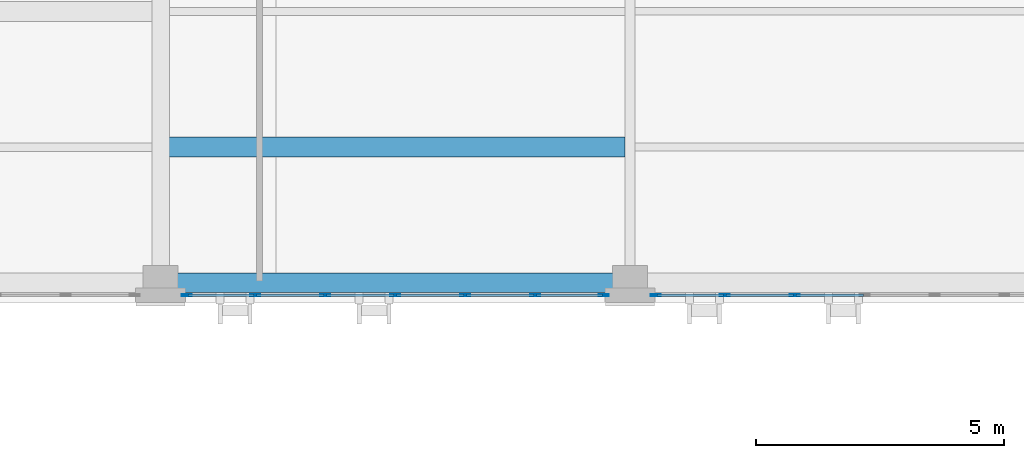
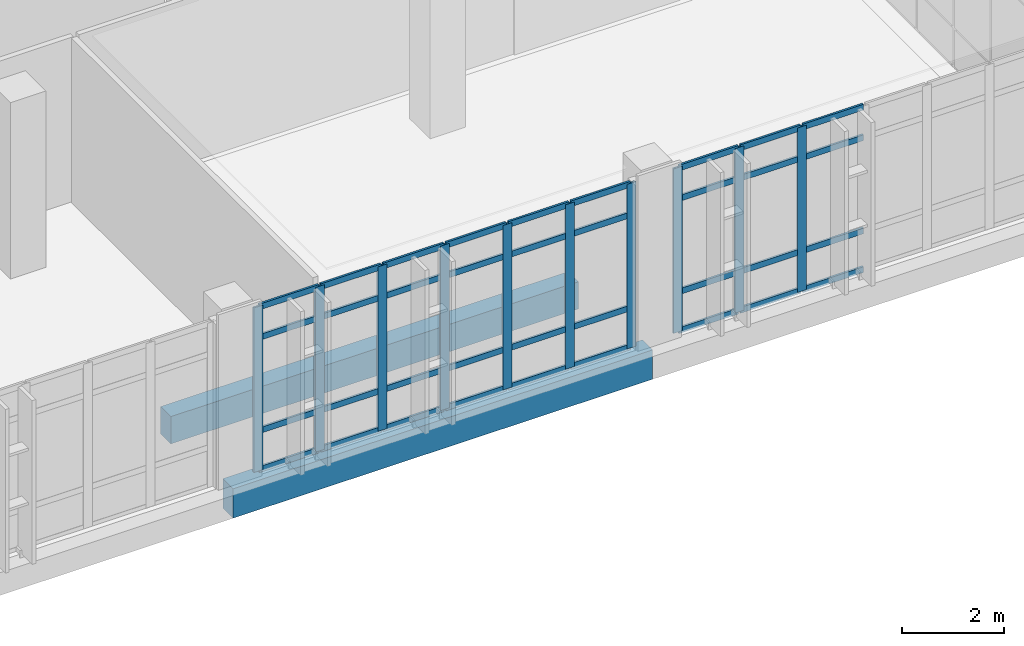
# One storey, part 38 of 165: 46 members, 2 beams, 2 elements without a shape of their own.
"""IFC4 building model written with IfcOpenShell, lengths in metres."""

from ifc_helpers import new_model, si_unit, direction, frame, origin, origin_2d, place, context, subcontext, project, spatial, rectangle, hollow_rectangle, extrude, material, layer, layer_set, material_profile, profile_set, type_object, element, aggregate, save


model = new_model("IFC4")

# Units and contexts
model_context = context("Model", 3, precision=1e-05, world=origin(), true_north=direction((0.0, 1.0)))
body_context = subcontext(model_context, "Body", "Model", "MODEL_VIEW")
ifc_project = project(units=[si_unit("LENGTHUNIT", "METRE"), si_unit("AREAUNIT", "SQUARE_METRE"), si_unit("VOLUMEUNIT", "CUBIC_METRE"), si_unit("PLANEANGLEUNIT", "RADIAN"), si_unit("MASSUNIT", "GRAM", prefix="KILO")], contexts=[model_context])

# Site, building, storey
site_placement = place(None, origin())
site = spatial("IfcSite", under=ifc_project, at=site_placement, CompositionType="ELEMENT")
building_placement = place(site_placement, origin())
building = spatial("IfcBuilding", under=site, at=building_placement, Name="Qalavern Law Courts", CompositionType="ELEMENT")
storey_placement = place(building_placement, frame((0.0, 0.0, 14.39990234375)))
storey = spatial("IfcBuildingStorey", under=building, at=storey_placement, Name="L03", CompositionType="ELEMENT", Elevation=14.39990234375)

# Curtain wall, members
ifc_material_1 = material(Name="Anodised aluminium and insulated glazing", Category="aluminium")
ifc_layer = layer(ifc_material_1, 0.18505859375)
ifc_layer_set = layer_set([ifc_layer], Name="Anodised aluminium and insulated glazing")
curtain_wall_type = type_object("IfcCurtainWallType", Name="ENV-CW-HALL", PredefinedType="USERDEFINED", material=ifc_layer_set)
curtain_wall_1_placement = place(storey_placement, origin())
curtain_wall_1 = element("IfcCurtainWall", 1, at=curtain_wall_1_placement, inside=storey, type_object=curtain_wall_type, Name="V2 unitised curtain wall L03 south 5", ObjectType="UNITISED CURTAIN WALL", PredefinedType="USERDEFINED")
ifc_material_2 = material(Name="Anodised aluminium", Category="aluminium")
ifc_material_profile_1 = material_profile(ifc_material_2, hollow_rectangle(XDim=0.048095703125, YDim=0.199951171875, WallThickness=0.00439453125, at=origin_2d()), Name="ALU MULLION 48x200")
ifc_profile_set_1 = profile_set([ifc_material_profile_1], Name="Anodised aluminium")
member_type_1 = type_object("IfcMemberType", Name="ENV-CWM-48x200", PredefinedType="MULLION", material=ifc_profile_set_1)
member_1_placement = place(storey_placement, frame((82.415283203125, 5.347412109375, 0.0), z_axis=(0.0, 0.0, 1.0), x_axis=(0.0, 1.0, 0.0)))
member_1 = element("IfcMember", 2, at=member_1_placement, type_object=member_type_1, Name="CW-02 mullion 1", PredefinedType="MULLION", context=body_context, shape_type="SweptSolid", body=[
    extrude(hollow_rectangle(XDim=0.048095703125, YDim=0.199951171875, WallThickness=0.00439453125, at=origin_2d()), origin(), (0.0, 0.0, 1.0), 3.920166015625),
])
member_2_placement = place(storey_placement, frame((83.800537109375, 5.347412109375, 0.0), z_axis=(0.0, 0.0, 1.0), x_axis=(0.0, 1.0, 0.0)))
member_2 = element("IfcMember", 3, at=member_2_placement, type_object=member_type_1, Name="CW-02 mullion 2", PredefinedType="MULLION", context=body_context, shape_type="SweptSolid", body=[
    extrude(hollow_rectangle(XDim=0.048095703125, YDim=0.199951171875, WallThickness=0.00439453125, at=origin_2d()), origin(), (0.0, 0.0, 1.0), 3.920166015625),
])
member_3_placement = place(storey_placement, frame((85.20947265625, 5.347412109375, 0.0), z_axis=(0.0, 0.0, 1.0), x_axis=(0.0, 1.0, 0.0)))
member_3 = element("IfcMember", 4, at=member_3_placement, type_object=member_type_1, Name="CW-02 mullion 3", PredefinedType="MULLION", context=body_context, shape_type="SweptSolid", body=[
    extrude(hollow_rectangle(XDim=0.048095703125, YDim=0.199951171875, WallThickness=0.00439453125, at=origin_2d()), origin(), (0.0, 0.0, 1.0), 3.920166015625),
])
member_4_placement = place(storey_placement, frame((86.61865234375, 5.347412109375, 0.0), z_axis=(0.0, 0.0, 1.0), x_axis=(0.0, 1.0, 0.0)))
member_4 = element("IfcMember", 5, at=member_4_placement, type_object=member_type_1, Name="CW-02 mullion 4", PredefinedType="MULLION", context=body_context, shape_type="SweptSolid", body=[
    extrude(hollow_rectangle(XDim=0.048095703125, YDim=0.199951171875, WallThickness=0.00439453125, at=origin_2d()), origin(), (0.0, 0.0, 1.0), 3.920166015625),
])
member_5_placement = place(storey_placement, frame((88.027587890625, 5.347412109375, 0.0), z_axis=(0.0, 0.0, 1.0), x_axis=(0.0, 1.0, 0.0)))
member_5 = element("IfcMember", 6, at=member_5_placement, type_object=member_type_1, Name="CW-02 mullion 5", PredefinedType="MULLION", context=body_context, shape_type="SweptSolid", body=[
    extrude(hollow_rectangle(XDim=0.048095703125, YDim=0.199951171875, WallThickness=0.00439453125, at=origin_2d()), origin(), (0.0, 0.0, 1.0), 3.920166015625),
])
member_6_placement = place(storey_placement, frame((89.436767578125, 5.347412109375, 0.0), z_axis=(0.0, 0.0, 1.0), x_axis=(0.0, 1.0, 0.0)))
member_6 = element("IfcMember", 7, at=member_6_placement, type_object=member_type_1, Name="CW-02 mullion 6", PredefinedType="MULLION", context=body_context, shape_type="SweptSolid", body=[
    extrude(hollow_rectangle(XDim=0.048095703125, YDim=0.199951171875, WallThickness=0.00439453125, at=origin_2d()), origin(), (0.0, 0.0, 1.0), 3.920166015625),
])
member_7_placement = place(storey_placement, frame((90.82177734375, 5.347412109375, 0.0), z_axis=(0.0, 0.0, 1.0), x_axis=(0.0, 1.0, 0.0)))
member_7 = element("IfcMember", 8, at=member_7_placement, type_object=member_type_1, Name="CW-02 mullion 7", PredefinedType="MULLION", context=body_context, shape_type="SweptSolid", body=[
    extrude(hollow_rectangle(XDim=0.048095703125, YDim=0.199951171875, WallThickness=0.00439453125, at=origin_2d()), origin(), (0.0, 0.0, 1.0), 3.920166015625),
])

curtain_wall_2_placement = place(storey_placement, origin())
curtain_wall_2 = element("IfcCurtainWall", 9, at=curtain_wall_2_placement, inside=storey, type_object=curtain_wall_type, Name="V2 unitised curtain wall L03 south 6", ObjectType="UNITISED CURTAIN WALL", PredefinedType="USERDEFINED")
member_8_placement = place(storey_placement, frame((91.86962890625, 5.347412109375, 0.0), z_axis=(0.0, 0.0, 1.0), x_axis=(0.0, 1.0, 0.0)))
member_8 = element("IfcMember", 10, at=member_8_placement, type_object=member_type_1, Name="CW-02 mullion 1", PredefinedType="MULLION", context=body_context, shape_type="SweptSolid", body=[
    extrude(hollow_rectangle(XDim=0.048095703125, YDim=0.199951171875, WallThickness=0.00439453125, at=origin_2d()), origin(), (0.0, 0.0, 1.0), 3.920166015625),
])
member_9_placement = place(storey_placement, frame((93.254638671875, 5.347412109375, 0.0), z_axis=(0.0, 0.0, 1.0), x_axis=(0.0, 1.0, 0.0)))
member_9 = element("IfcMember", 11, at=member_9_placement, type_object=member_type_1, Name="CW-02 mullion 2", PredefinedType="MULLION", context=body_context, shape_type="SweptSolid", body=[
    extrude(hollow_rectangle(XDim=0.048095703125, YDim=0.199951171875, WallThickness=0.00439453125, at=origin_2d()), origin(), (0.0, 0.0, 1.0), 3.920166015625),
])
member_10_placement = place(storey_placement, frame((94.663818359375, 5.347412109375, 0.0), z_axis=(0.0, 0.0, 1.0), x_axis=(0.0, 1.0, 0.0)))
member_10 = element("IfcMember", 12, at=member_10_placement, type_object=member_type_1, Name="CW-02 mullion 3", PredefinedType="MULLION", context=body_context, shape_type="SweptSolid", body=[
    extrude(hollow_rectangle(XDim=0.048095703125, YDim=0.199951171875, WallThickness=0.00439453125, at=origin_2d()), origin(), (0.0, 0.0, 1.0), 3.920166015625),
])

# Member
ifc_material_profile_2 = material_profile(ifc_material_2, hollow_rectangle(XDim=0.048095703125, YDim=0.139892578125, WallThickness=0.00390625, at=origin_2d()), Name="ALU TRANSOM 48x140")
ifc_profile_set_2 = profile_set([ifc_material_profile_2], Name="Anodised aluminium")
member_type_2 = type_object("IfcMemberType", Name="ENV-CWT-48x140", PredefinedType="USERDEFINED", material=ifc_profile_set_2)
member_11_placement = place(storey_placement, frame((82.439453125, 5.347412109375, 0.024169921875), z_axis=(1.0, 0.0, 0.0), x_axis=(0.0, 1.0, 0.0)))
member_11 = element("IfcMember", 13, at=member_11_placement, type_object=member_type_2, Name="CW-02 transom 1.1", ObjectType="TRANSOM", PredefinedType="USERDEFINED", context=body_context, shape_type="SweptSolid", body=[
    extrude(hollow_rectangle(XDim=0.048095703125, YDim=0.139892578125, WallThickness=0.00390625, at=origin_2d()), origin(), (0.0, 0.0, 1.0), 1.3369140625),
])

member_12_placement = place(storey_placement, frame((82.439453125, 5.347412109375, 0.9501953125), z_axis=(1.0, 0.0, 0.0), x_axis=(0.0, 1.0, 0.0)))
member_12 = element("IfcMember", 14, at=member_12_placement, type_object=member_type_2, Name="CW-02 transom 1.2", ObjectType="TRANSOM", PredefinedType="USERDEFINED", context=body_context, shape_type="SweptSolid", body=[
    extrude(hollow_rectangle(XDim=0.048095703125, YDim=0.139892578125, WallThickness=0.00390625, at=origin_2d()), origin(), (0.0, 0.0, 1.0), 1.3369140625),
])

member_13_placement = place(storey_placement, frame((82.439453125, 5.347412109375, 3.170166015625), z_axis=(1.0, 0.0, 0.0), x_axis=(0.0, 1.0, 0.0)))
member_13 = element("IfcMember", 15, at=member_13_placement, type_object=member_type_2, Name="CW-02 transom 1.3", ObjectType="TRANSOM", PredefinedType="USERDEFINED", context=body_context, shape_type="SweptSolid", body=[
    extrude(hollow_rectangle(XDim=0.048095703125, YDim=0.139892578125, WallThickness=0.00390625, at=origin_2d()), origin(), (0.0, 0.0, 1.0), 1.3369140625),
])

member_14_placement = place(storey_placement, frame((82.439453125, 5.347412109375, 3.89599609375), z_axis=(1.0, 0.0, 0.0), x_axis=(0.0, 1.0, 0.0)))
member_14 = element("IfcMember", 16, at=member_14_placement, type_object=member_type_2, Name="CW-02 transom 1.4", ObjectType="TRANSOM", PredefinedType="USERDEFINED", context=body_context, shape_type="SweptSolid", body=[
    extrude(hollow_rectangle(XDim=0.048095703125, YDim=0.139892578125, WallThickness=0.00390625, at=origin_2d()), origin(), (0.0, 0.0, 1.0), 1.3369140625),
])

member_15_placement = place(storey_placement, frame((83.824462890625, 5.347412109375, 0.024169921875), z_axis=(1.0, 0.0, 0.0), x_axis=(0.0, 1.0, 0.0)))
member_15 = element("IfcMember", 17, at=member_15_placement, type_object=member_type_2, Name="CW-02 transom 2.1", ObjectType="TRANSOM", PredefinedType="USERDEFINED", context=body_context, shape_type="SweptSolid", body=[
    extrude(hollow_rectangle(XDim=0.048095703125, YDim=0.139892578125, WallThickness=0.00390625, at=origin_2d()), origin(), (0.0, 0.0, 1.0), 1.361083984375),
])

member_16_placement = place(storey_placement, frame((83.824462890625, 5.347412109375, 0.9501953125), z_axis=(1.0, 0.0, 0.0), x_axis=(0.0, 1.0, 0.0)))
member_16 = element("IfcMember", 18, at=member_16_placement, type_object=member_type_2, Name="CW-02 transom 2.2", ObjectType="TRANSOM", PredefinedType="USERDEFINED", context=body_context, shape_type="SweptSolid", body=[
    extrude(hollow_rectangle(XDim=0.048095703125, YDim=0.139892578125, WallThickness=0.00390625, at=origin_2d()), origin(), (0.0, 0.0, 1.0), 1.361083984375),
])

member_17_placement = place(storey_placement, frame((83.824462890625, 5.347412109375, 3.170166015625), z_axis=(1.0, 0.0, 0.0), x_axis=(0.0, 1.0, 0.0)))
member_17 = element("IfcMember", 19, at=member_17_placement, type_object=member_type_2, Name="CW-02 transom 2.3", ObjectType="TRANSOM", PredefinedType="USERDEFINED", context=body_context, shape_type="SweptSolid", body=[
    extrude(hollow_rectangle(XDim=0.048095703125, YDim=0.139892578125, WallThickness=0.00390625, at=origin_2d()), origin(), (0.0, 0.0, 1.0), 1.361083984375),
])

member_18_placement = place(storey_placement, frame((83.824462890625, 5.347412109375, 3.89599609375), z_axis=(1.0, 0.0, 0.0), x_axis=(0.0, 1.0, 0.0)))
member_18 = element("IfcMember", 20, at=member_18_placement, type_object=member_type_2, Name="CW-02 transom 2.4", ObjectType="TRANSOM", PredefinedType="USERDEFINED", context=body_context, shape_type="SweptSolid", body=[
    extrude(hollow_rectangle(XDim=0.048095703125, YDim=0.139892578125, WallThickness=0.00390625, at=origin_2d()), origin(), (0.0, 0.0, 1.0), 1.361083984375),
])

member_19_placement = place(storey_placement, frame((85.2333984375, 5.347412109375, 0.024169921875), z_axis=(1.0, 0.0, 0.0), x_axis=(0.0, 1.0, 0.0)))
member_19 = element("IfcMember", 21, at=member_19_placement, type_object=member_type_2, Name="CW-02 transom 3.1", ObjectType="TRANSOM", PredefinedType="USERDEFINED", context=body_context, shape_type="SweptSolid", body=[
    extrude(hollow_rectangle(XDim=0.048095703125, YDim=0.139892578125, WallThickness=0.00390625, at=origin_2d()), origin(), (0.0, 0.0, 1.0), 1.361083984375),
])

member_20_placement = place(storey_placement, frame((85.2333984375, 5.347412109375, 0.9501953125), z_axis=(1.0, 0.0, 0.0), x_axis=(0.0, 1.0, 0.0)))
member_20 = element("IfcMember", 22, at=member_20_placement, type_object=member_type_2, Name="CW-02 transom 3.2", ObjectType="TRANSOM", PredefinedType="USERDEFINED", context=body_context, shape_type="SweptSolid", body=[
    extrude(hollow_rectangle(XDim=0.048095703125, YDim=0.139892578125, WallThickness=0.00390625, at=origin_2d()), origin(), (0.0, 0.0, 1.0), 1.361083984375),
])

member_21_placement = place(storey_placement, frame((85.2333984375, 5.347412109375, 3.170166015625), z_axis=(1.0, 0.0, 0.0), x_axis=(0.0, 1.0, 0.0)))
member_21 = element("IfcMember", 23, at=member_21_placement, type_object=member_type_2, Name="CW-02 transom 3.3", ObjectType="TRANSOM", PredefinedType="USERDEFINED", context=body_context, shape_type="SweptSolid", body=[
    extrude(hollow_rectangle(XDim=0.048095703125, YDim=0.139892578125, WallThickness=0.00390625, at=origin_2d()), origin(), (0.0, 0.0, 1.0), 1.361083984375),
])

member_22_placement = place(storey_placement, frame((85.2333984375, 5.347412109375, 3.89599609375), z_axis=(1.0, 0.0, 0.0), x_axis=(0.0, 1.0, 0.0)))
member_22 = element("IfcMember", 24, at=member_22_placement, type_object=member_type_2, Name="CW-02 transom 3.4", ObjectType="TRANSOM", PredefinedType="USERDEFINED", context=body_context, shape_type="SweptSolid", body=[
    extrude(hollow_rectangle(XDim=0.048095703125, YDim=0.139892578125, WallThickness=0.00390625, at=origin_2d()), origin(), (0.0, 0.0, 1.0), 1.361083984375),
])

member_23_placement = place(storey_placement, frame((86.642578125, 5.347412109375, 0.024169921875), z_axis=(1.0, 0.0, 0.0), x_axis=(0.0, 1.0, 0.0)))
member_23 = element("IfcMember", 25, at=member_23_placement, type_object=member_type_2, Name="CW-02 transom 4.1", ObjectType="TRANSOM", PredefinedType="USERDEFINED", context=body_context, shape_type="SweptSolid", body=[
    extrude(hollow_rectangle(XDim=0.048095703125, YDim=0.139892578125, WallThickness=0.00390625, at=origin_2d()), origin(), (0.0, 0.0, 1.0), 1.361083984375),
])

member_24_placement = place(storey_placement, frame((86.642578125, 5.347412109375, 0.9501953125), z_axis=(1.0, 0.0, 0.0), x_axis=(0.0, 1.0, 0.0)))
member_24 = element("IfcMember", 26, at=member_24_placement, type_object=member_type_2, Name="CW-02 transom 4.2", ObjectType="TRANSOM", PredefinedType="USERDEFINED", context=body_context, shape_type="SweptSolid", body=[
    extrude(hollow_rectangle(XDim=0.048095703125, YDim=0.139892578125, WallThickness=0.00390625, at=origin_2d()), origin(), (0.0, 0.0, 1.0), 1.361083984375),
])

member_25_placement = place(storey_placement, frame((86.642578125, 5.347412109375, 3.170166015625), z_axis=(1.0, 0.0, 0.0), x_axis=(0.0, 1.0, 0.0)))
member_25 = element("IfcMember", 27, at=member_25_placement, type_object=member_type_2, Name="CW-02 transom 4.3", ObjectType="TRANSOM", PredefinedType="USERDEFINED", context=body_context, shape_type="SweptSolid", body=[
    extrude(hollow_rectangle(XDim=0.048095703125, YDim=0.139892578125, WallThickness=0.00390625, at=origin_2d()), origin(), (0.0, 0.0, 1.0), 1.361083984375),
])

member_26_placement = place(storey_placement, frame((86.642578125, 5.347412109375, 3.89599609375), z_axis=(1.0, 0.0, 0.0), x_axis=(0.0, 1.0, 0.0)))
member_26 = element("IfcMember", 28, at=member_26_placement, type_object=member_type_2, Name="CW-02 transom 4.4", ObjectType="TRANSOM", PredefinedType="USERDEFINED", context=body_context, shape_type="SweptSolid", body=[
    extrude(hollow_rectangle(XDim=0.048095703125, YDim=0.139892578125, WallThickness=0.00390625, at=origin_2d()), origin(), (0.0, 0.0, 1.0), 1.361083984375),
])

member_27_placement = place(storey_placement, frame((88.051513671875, 5.347412109375, 0.024169921875), z_axis=(1.0, 0.0, 0.0), x_axis=(0.0, 1.0, 0.0)))
member_27 = element("IfcMember", 29, at=member_27_placement, type_object=member_type_2, Name="CW-02 transom 5.1", ObjectType="TRANSOM", PredefinedType="USERDEFINED", context=body_context, shape_type="SweptSolid", body=[
    extrude(hollow_rectangle(XDim=0.048095703125, YDim=0.139892578125, WallThickness=0.00390625, at=origin_2d()), origin(), (0.0, 0.0, 1.0), 1.361083984375),
])

member_28_placement = place(storey_placement, frame((88.051513671875, 5.347412109375, 0.9501953125), z_axis=(1.0, 0.0, 0.0), x_axis=(0.0, 1.0, 0.0)))
member_28 = element("IfcMember", 30, at=member_28_placement, type_object=member_type_2, Name="CW-02 transom 5.2", ObjectType="TRANSOM", PredefinedType="USERDEFINED", context=body_context, shape_type="SweptSolid", body=[
    extrude(hollow_rectangle(XDim=0.048095703125, YDim=0.139892578125, WallThickness=0.00390625, at=origin_2d()), origin(), (0.0, 0.0, 1.0), 1.361083984375),
])

member_29_placement = place(storey_placement, frame((88.051513671875, 5.347412109375, 3.170166015625), z_axis=(1.0, 0.0, 0.0), x_axis=(0.0, 1.0, 0.0)))
member_29 = element("IfcMember", 31, at=member_29_placement, type_object=member_type_2, Name="CW-02 transom 5.3", ObjectType="TRANSOM", PredefinedType="USERDEFINED", context=body_context, shape_type="SweptSolid", body=[
    extrude(hollow_rectangle(XDim=0.048095703125, YDim=0.139892578125, WallThickness=0.00390625, at=origin_2d()), origin(), (0.0, 0.0, 1.0), 1.361083984375),
])

member_30_placement = place(storey_placement, frame((88.051513671875, 5.347412109375, 3.89599609375), z_axis=(1.0, 0.0, 0.0), x_axis=(0.0, 1.0, 0.0)))
member_30 = element("IfcMember", 32, at=member_30_placement, type_object=member_type_2, Name="CW-02 transom 5.4", ObjectType="TRANSOM", PredefinedType="USERDEFINED", context=body_context, shape_type="SweptSolid", body=[
    extrude(hollow_rectangle(XDim=0.048095703125, YDim=0.139892578125, WallThickness=0.00390625, at=origin_2d()), origin(), (0.0, 0.0, 1.0), 1.361083984375),
])

member_31_placement = place(storey_placement, frame((89.460693359375, 5.347412109375, 0.024169921875), z_axis=(1.0, 0.0, 0.0), x_axis=(0.0, 1.0, 0.0)))
member_31 = element("IfcMember", 33, at=member_31_placement, type_object=member_type_2, Name="CW-02 transom 6.1", ObjectType="TRANSOM", PredefinedType="USERDEFINED", context=body_context, shape_type="SweptSolid", body=[
    extrude(hollow_rectangle(XDim=0.048095703125, YDim=0.139892578125, WallThickness=0.00390625, at=origin_2d()), origin(), (0.0, 0.0, 1.0), 1.3369140625),
])

member_32_placement = place(storey_placement, frame((89.460693359375, 5.347412109375, 0.9501953125), z_axis=(1.0, 0.0, 0.0), x_axis=(0.0, 1.0, 0.0)))
member_32 = element("IfcMember", 34, at=member_32_placement, type_object=member_type_2, Name="CW-02 transom 6.2", ObjectType="TRANSOM", PredefinedType="USERDEFINED", context=body_context, shape_type="SweptSolid", body=[
    extrude(hollow_rectangle(XDim=0.048095703125, YDim=0.139892578125, WallThickness=0.00390625, at=origin_2d()), origin(), (0.0, 0.0, 1.0), 1.3369140625),
])

member_33_placement = place(storey_placement, frame((89.460693359375, 5.347412109375, 3.170166015625), z_axis=(1.0, 0.0, 0.0), x_axis=(0.0, 1.0, 0.0)))
member_33 = element("IfcMember", 35, at=member_33_placement, type_object=member_type_2, Name="CW-02 transom 6.3", ObjectType="TRANSOM", PredefinedType="USERDEFINED", context=body_context, shape_type="SweptSolid", body=[
    extrude(hollow_rectangle(XDim=0.048095703125, YDim=0.139892578125, WallThickness=0.00390625, at=origin_2d()), origin(), (0.0, 0.0, 1.0), 1.3369140625),
])

member_34_placement = place(storey_placement, frame((89.460693359375, 5.347412109375, 3.89599609375), z_axis=(1.0, 0.0, 0.0), x_axis=(0.0, 1.0, 0.0)))
member_34 = element("IfcMember", 36, at=member_34_placement, type_object=member_type_2, Name="CW-02 transom 6.4", ObjectType="TRANSOM", PredefinedType="USERDEFINED", context=body_context, shape_type="SweptSolid", body=[
    extrude(hollow_rectangle(XDim=0.048095703125, YDim=0.139892578125, WallThickness=0.00390625, at=origin_2d()), origin(), (0.0, 0.0, 1.0), 1.3369140625),
])

aggregate(curtain_wall_1, [member_1, member_2, member_3, member_4, member_5, member_6, member_7, member_11, member_12, member_13, member_14, member_15, member_16, member_17, member_18, member_19, member_20, member_21, member_22, member_23, member_24, member_25, member_26, member_27, member_28, member_29, member_30, member_31, member_32, member_33, member_34])

member_35_placement = place(storey_placement, frame((91.893798828125, 5.347412109375, 0.024169921875), z_axis=(1.0, 0.0, 0.0), x_axis=(0.0, 1.0, 0.0)))
member_35 = element("IfcMember", 37, at=member_35_placement, type_object=member_type_2, Name="CW-02 transom 1.1", ObjectType="TRANSOM", PredefinedType="USERDEFINED", context=body_context, shape_type="SweptSolid", body=[
    extrude(hollow_rectangle(XDim=0.048095703125, YDim=0.139892578125, WallThickness=0.00390625, at=origin_2d()), origin(), (0.0, 0.0, 1.0), 1.3369140625),
])

member_36_placement = place(storey_placement, frame((91.893798828125, 5.347412109375, 0.9501953125), z_axis=(1.0, 0.0, 0.0), x_axis=(0.0, 1.0, 0.0)))
member_36 = element("IfcMember", 38, at=member_36_placement, type_object=member_type_2, Name="CW-02 transom 1.2", ObjectType="TRANSOM", PredefinedType="USERDEFINED", context=body_context, shape_type="SweptSolid", body=[
    extrude(hollow_rectangle(XDim=0.048095703125, YDim=0.139892578125, WallThickness=0.00390625, at=origin_2d()), origin(), (0.0, 0.0, 1.0), 1.3369140625),
])

member_37_placement = place(storey_placement, frame((91.893798828125, 5.347412109375, 3.170166015625), z_axis=(1.0, 0.0, 0.0), x_axis=(0.0, 1.0, 0.0)))
member_37 = element("IfcMember", 39, at=member_37_placement, type_object=member_type_2, Name="CW-02 transom 1.3", ObjectType="TRANSOM", PredefinedType="USERDEFINED", context=body_context, shape_type="SweptSolid", body=[
    extrude(hollow_rectangle(XDim=0.048095703125, YDim=0.139892578125, WallThickness=0.00390625, at=origin_2d()), origin(), (0.0, 0.0, 1.0), 1.3369140625),
])

member_38_placement = place(storey_placement, frame((91.893798828125, 5.347412109375, 3.89599609375), z_axis=(1.0, 0.0, 0.0), x_axis=(0.0, 1.0, 0.0)))
member_38 = element("IfcMember", 40, at=member_38_placement, type_object=member_type_2, Name="CW-02 transom 1.4", ObjectType="TRANSOM", PredefinedType="USERDEFINED", context=body_context, shape_type="SweptSolid", body=[
    extrude(hollow_rectangle(XDim=0.048095703125, YDim=0.139892578125, WallThickness=0.00390625, at=origin_2d()), origin(), (0.0, 0.0, 1.0), 1.3369140625),
])

member_39_placement = place(storey_placement, frame((93.27880859375, 5.347412109375, 0.024169921875), z_axis=(1.0, 0.0, 0.0), x_axis=(0.0, 1.0, 0.0)))
member_39 = element("IfcMember", 41, at=member_39_placement, type_object=member_type_2, Name="CW-02 transom 2.1", ObjectType="TRANSOM", PredefinedType="USERDEFINED", context=body_context, shape_type="SweptSolid", body=[
    extrude(hollow_rectangle(XDim=0.048095703125, YDim=0.139892578125, WallThickness=0.00390625, at=origin_2d()), origin(), (0.0, 0.0, 1.0), 1.361083984375),
])

member_40_placement = place(storey_placement, frame((93.27880859375, 5.347412109375, 0.9501953125), z_axis=(1.0, 0.0, 0.0), x_axis=(0.0, 1.0, 0.0)))
member_40 = element("IfcMember", 42, at=member_40_placement, type_object=member_type_2, Name="CW-02 transom 2.2", ObjectType="TRANSOM", PredefinedType="USERDEFINED", context=body_context, shape_type="SweptSolid", body=[
    extrude(hollow_rectangle(XDim=0.048095703125, YDim=0.139892578125, WallThickness=0.00390625, at=origin_2d()), origin(), (0.0, 0.0, 1.0), 1.361083984375),
])

member_41_placement = place(storey_placement, frame((93.27880859375, 5.347412109375, 3.170166015625), z_axis=(1.0, 0.0, 0.0), x_axis=(0.0, 1.0, 0.0)))
member_41 = element("IfcMember", 43, at=member_41_placement, type_object=member_type_2, Name="CW-02 transom 2.3", ObjectType="TRANSOM", PredefinedType="USERDEFINED", context=body_context, shape_type="SweptSolid", body=[
    extrude(hollow_rectangle(XDim=0.048095703125, YDim=0.139892578125, WallThickness=0.00390625, at=origin_2d()), origin(), (0.0, 0.0, 1.0), 1.361083984375),
])

member_42_placement = place(storey_placement, frame((93.27880859375, 5.347412109375, 3.89599609375), z_axis=(1.0, 0.0, 0.0), x_axis=(0.0, 1.0, 0.0)))
member_42 = element("IfcMember", 44, at=member_42_placement, type_object=member_type_2, Name="CW-02 transom 2.4", ObjectType="TRANSOM", PredefinedType="USERDEFINED", context=body_context, shape_type="SweptSolid", body=[
    extrude(hollow_rectangle(XDim=0.048095703125, YDim=0.139892578125, WallThickness=0.00390625, at=origin_2d()), origin(), (0.0, 0.0, 1.0), 1.361083984375),
])

member_43_placement = place(storey_placement, frame((94.687744140625, 5.347412109375, 0.024169921875), z_axis=(1.0, 0.0, 0.0), x_axis=(0.0, 1.0, 0.0)))
member_43 = element("IfcMember", 45, at=member_43_placement, type_object=member_type_2, Name="CW-02 transom 3.1", ObjectType="TRANSOM", PredefinedType="USERDEFINED", context=body_context, shape_type="SweptSolid", body=[
    extrude(hollow_rectangle(XDim=0.048095703125, YDim=0.139892578125, WallThickness=0.00390625, at=origin_2d()), origin(), (0.0, 0.0, 1.0), 1.361083984375),
])

member_44_placement = place(storey_placement, frame((94.687744140625, 5.347412109375, 0.9501953125), z_axis=(1.0, 0.0, 0.0), x_axis=(0.0, 1.0, 0.0)))
member_44 = element("IfcMember", 46, at=member_44_placement, type_object=member_type_2, Name="CW-02 transom 3.2", ObjectType="TRANSOM", PredefinedType="USERDEFINED", context=body_context, shape_type="SweptSolid", body=[
    extrude(hollow_rectangle(XDim=0.048095703125, YDim=0.139892578125, WallThickness=0.00390625, at=origin_2d()), origin(), (0.0, 0.0, 1.0), 1.361083984375),
])

member_45_placement = place(storey_placement, frame((94.687744140625, 5.347412109375, 3.170166015625), z_axis=(1.0, 0.0, 0.0), x_axis=(0.0, 1.0, 0.0)))
member_45 = element("IfcMember", 47, at=member_45_placement, type_object=member_type_2, Name="CW-02 transom 3.3", ObjectType="TRANSOM", PredefinedType="USERDEFINED", context=body_context, shape_type="SweptSolid", body=[
    extrude(hollow_rectangle(XDim=0.048095703125, YDim=0.139892578125, WallThickness=0.00390625, at=origin_2d()), origin(), (0.0, 0.0, 1.0), 1.361083984375),
])

member_46_placement = place(storey_placement, frame((94.687744140625, 5.347412109375, 3.89599609375), z_axis=(1.0, 0.0, 0.0), x_axis=(0.0, 1.0, 0.0)))
member_46 = element("IfcMember", 48, at=member_46_placement, type_object=member_type_2, Name="CW-02 transom 3.4", ObjectType="TRANSOM", PredefinedType="USERDEFINED", context=body_context, shape_type="SweptSolid", body=[
    extrude(hollow_rectangle(XDim=0.048095703125, YDim=0.139892578125, WallThickness=0.00390625, at=origin_2d()), origin(), (0.0, 0.0, 1.0), 1.361083984375),
])

aggregate(curtain_wall_2, [member_8, member_9, member_10, member_35, member_36, member_37, member_38, member_39, member_40, member_41, member_42, member_43, member_44, member_45, member_46])

# Beams
ifc_material_3 = material(Name="Concrete C35/45", Category="concrete")
ifc_material_profile_3 = material_profile(ifc_material_3, rectangle(XDim=0.39990234375, YDim=0.64990234375, at=origin_2d()), Name="RC 400x650")
ifc_profile_set_3 = profile_set([ifc_material_profile_3], Name="Concrete C35/45")
beam_type_1 = type_object("IfcBeamType", Name="STR-JST-RC400x650", PredefinedType="JOIST", material=ifc_profile_set_3)
beam_1_placement = place(storey_placement, frame((82.064453125, 8.333251953125, -0.60986328125), z_axis=(1.0, 0.0, 0.0), x_axis=(0.0, 1.0, 0.0)))
element("IfcBeam", 49, at=beam_1_placement, inside=storey, type_object=beam_type_1, Name="V2 secondary joist 6.1.1 L03", PredefinedType="JOIST", context=body_context, shape_type="SweptSolid", body=[
    extrude(rectangle(XDim=0.39990234375, YDim=0.64990234375, at=origin_2d()), origin(), (0.0, 0.0, 1.0), 9.183349609375),
])
ifc_material_4 = material(Name="Concrete C40/50", Category="concrete")
ifc_material_profile_4 = material_profile(ifc_material_4, rectangle(XDim=0.39990234375, YDim=0.699951171875, at=origin_2d()), Name="RC 400x700")
ifc_profile_set_4 = profile_set([ifc_material_profile_4], Name="Concrete C40/50")
beam_type_2 = type_object("IfcBeamType", Name="STR-SP-RC400x700", PredefinedType="SPANDREL", material=ifc_profile_set_4)
beam_2_placement = place(storey_placement, frame((81.891357421875, 5.60009765625, -0.635009765625), z_axis=(1.0, 0.0, 0.0), x_axis=(0.0, 1.0, 0.0)))
element("IfcBeam", 50, at=beam_2_placement, inside=storey, type_object=beam_type_2, Name="V2 X-beam 1-6 L03", PredefinedType="SPANDREL", context=body_context, shape_type="SweptSolid", body=[
    extrude(rectangle(XDim=0.39990234375, YDim=0.699951171875, at=origin_2d()), origin(), (0.0, 0.0, 1.0), 9.454345703125),
])

save(model, "model.ifc")
